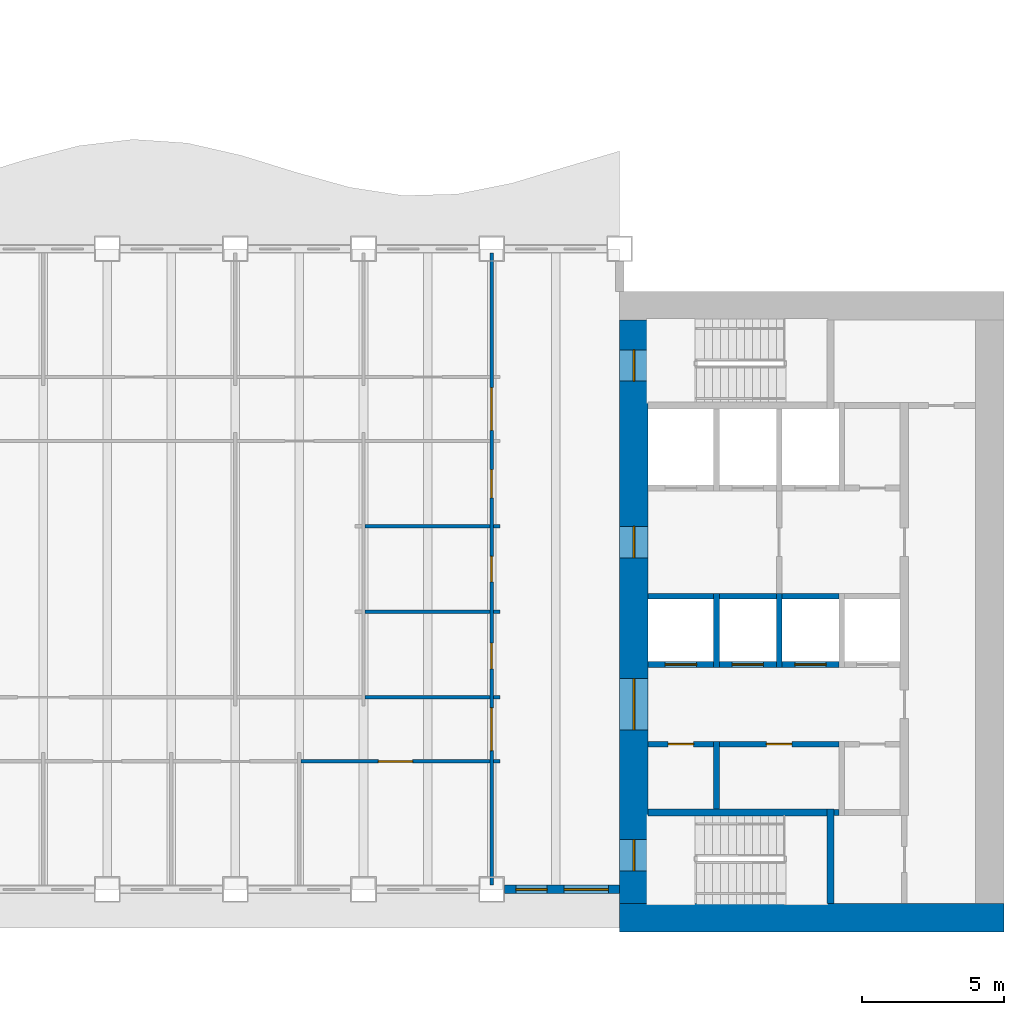
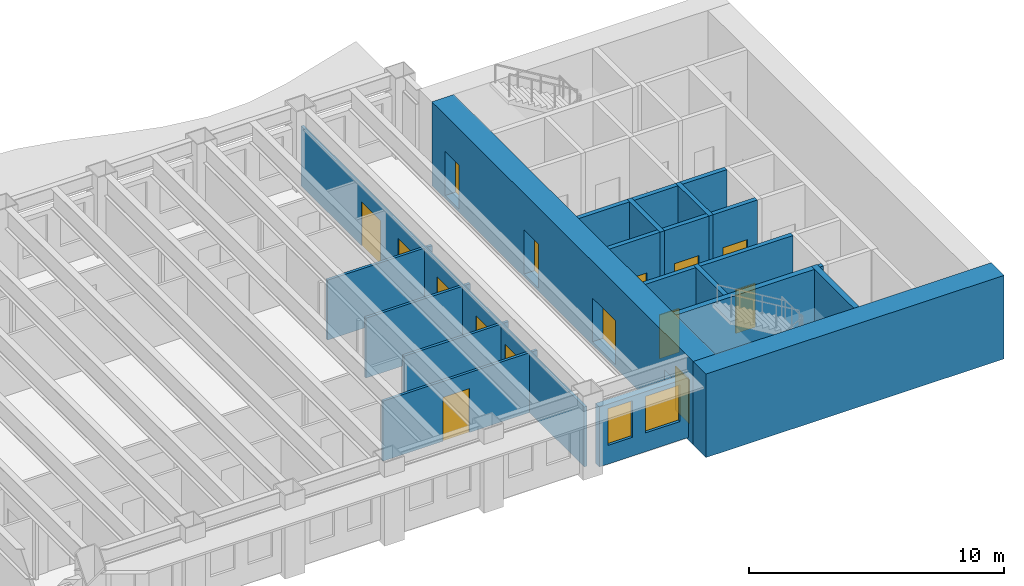
# One storey, part 6 of 16: 26 walls, 15 doors, 2 windows, 17 openings.
"""IFC4 building model written with IfcOpenShell, lengths in metres."""

import ifcopenshell
import ifcopenshell.guid

model = None  # the IFC model being written
_history = None  # IfcOwnerHistory: only IFC2X3 demands one
_inside = {}  # id of a spatial element -> (the spatial element, [elements in it])
_under = {}  # id of a project, library or spatial element -> (it, [spatial elements below it])
_declared = {}  # id of a project -> (the project, [libraries it declares])
_typed = {}  # id of a type object -> (the type object, [elements of that type])
_made_of = {}  # id of a material, layer set ... -> (it, [elements and type objects made of it])


def new_model(schema):
    """Start an empty IFC model of exactly this schema.

    Asked for "IFC4X3", IfcOpenShell would pick the latest addendum, in which some entities
    have other attributes; the version numbers below select the first issue.
    IFC2X3 requires an IfcOwnerHistory on every rooted entity: one is made here for all.
    """
    global model, _history
    if schema == "IFC4X3":
        model = ifcopenshell.file(schema_version=(4, 3, 0, 0))
    else:
        model = ifcopenshell.file(schema=schema)
    _inside.clear()
    _under.clear()
    _declared.clear()
    _typed.clear()
    _made_of.clear()
    _history = None
    if model.schema == "IFC2X3":
        org = make("IfcOrganization", Name="unknown")
        user = make(
            "IfcPersonAndOrganization",
            ThePerson=make("IfcPerson", FamilyName="unknown"),
            TheOrganization=org,
        )
        app = make(
            "IfcApplication",
            ApplicationDeveloper=org,
            Version="unknown",
            ApplicationFullName="unknown",
            ApplicationIdentifier="unknown",
        )
        _history = make(
            "IfcOwnerHistory",
            OwningUser=user,
            OwningApplication=app,
            ChangeAction="ADDED",
            CreationDate=0,
        )
    return model


def make(cls, **values):
    """One entity of the class cls with the attributes given. An attribute that is None is left unset."""
    return model.create_entity(
        cls, **{name: value for name, value in values.items() if value is not None}
    )


def rooted(cls, **values):
    """An entity with a GlobalId (a new one), such as an element, a storey or a relation."""
    return make(cls, GlobalId=ifcopenshell.guid.new(), OwnerHistory=_history, **values)


def si_unit(unit_type, name, prefix=None):
    """IfcSIUnit, for example si_unit("LENGTHUNIT", "METRE", prefix="MILLI")."""
    return make("IfcSIUnit", UnitType=unit_type, Prefix=prefix, Name=name)


def assignment(units):
    """IfcUnitAssignment: the units of a project."""
    return None if units is None else make("IfcUnitAssignment", Units=units)


def point(xyz):
    """IfcCartesianPoint."""
    return None if xyz is None else make("IfcCartesianPoint", Coordinates=xyz)


def direction(xyz):
    """IfcDirection."""
    return None if xyz is None else make("IfcDirection", DirectionRatios=xyz)


def frame(location, z_axis=None, x_axis=None):
    """IfcAxis2Placement3D, a coordinate frame: its origin and axes. An axis left out is left unset."""
    return make(
        "IfcAxis2Placement3D",
        Location=point(location),
        Axis=direction(z_axis),
        RefDirection=direction(x_axis),
    )


def frame_2d(location, x_axis=None):
    """IfcAxis2Placement2D, a coordinate frame in the plane: its origin and x axis."""
    return make(
        "IfcAxis2Placement2D", Location=point(location), RefDirection=direction(x_axis)
    )


def origin():
    """The frame at (0, 0, 0) with its axes left unset."""
    return frame((0.0, 0.0, 0.0))


def place(relative_to, where):
    """IfcLocalPlacement: puts the frame where relative to a parent placement (None: the world)."""
    return make(
        "IfcLocalPlacement", PlacementRelTo=relative_to, RelativePlacement=where
    )


def context(
    kind, dimensions, precision=None, world=None, true_north=None, identifier=None
):
    """IfcGeometricRepresentationContext, for example the 3D "Model" context."""
    return make(
        "IfcGeometricRepresentationContext",
        ContextIdentifier=identifier,
        ContextType=kind,
        CoordinateSpaceDimension=dimensions,
        Precision=precision,
        WorldCoordinateSystem=world,
        TrueNorth=true_north,
    )


def subcontext(parent, identifier, kind, view, scale=None):
    """IfcGeometricRepresentationSubContext, for example "Body" below "Model"."""
    return make(
        "IfcGeometricRepresentationSubContext",
        ContextIdentifier=identifier,
        ContextType=kind,
        ParentContext=parent,
        TargetScale=scale,
        TargetView=view,
    )


def project(units=None, contexts=None):
    """IfcProject with its units and contexts."""
    return rooted(
        "IfcProject",
        Name="project",
        RepresentationContexts=contexts,
        UnitsInContext=assignment(units),
    )


def spatial(cls, under=None, at=None, **own):
    """A site, building, storey or space (cls), placed at a placement, below another one or the project."""
    s = rooted(cls, ObjectPlacement=at, **own)
    if under is not None:
        _under.setdefault(under.id(), (under, []))[1].append(s)
    return s


def profile(cls, at=None, kind="AREA", **sizes):
    """A parametric profile (cls). Its sizes go by their IFC names, for example OverallWidth=200.0."""
    return make(cls, ProfileType=kind, Position=at, **sizes)


def rectangle(**sizes):
    """IfcRectangleProfileDef."""
    return profile("IfcRectangleProfileDef", **sizes)


def extrude(swept, where, along, depth):
    """IfcExtrudedAreaSolid: the profile swept, set in the frame where, extruded along a direction by depth."""
    return make(
        "IfcExtrudedAreaSolid",
        SweptArea=swept,
        Position=where,
        ExtrudedDirection=direction(along),
        Depth=depth,
    )


def shape(context_of_items, identifier, shape_type, items):
    """IfcShapeRepresentation: the items that make up one representation, for example the "Body"."""
    return make(
        "IfcShapeRepresentation",
        ContextOfItems=context_of_items,
        RepresentationIdentifier=identifier,
        RepresentationType=shape_type,
        Items=items,
    )


def material(Name=None, Category=None):
    """IfcMaterial."""
    return make("IfcMaterial", Name=Name, Category=Category)


def layer(
    of_material, thickness, ventilated=None, Name=None, Category=None, Priority=None
):
    """IfcMaterialLayer: one layer of a wall or slab, of a material (None: an air gap)."""
    return make(
        "IfcMaterialLayer",
        Material=of_material,
        LayerThickness=thickness,
        IsVentilated=ventilated,
        Name=Name,
        Category=Category,
        Priority=Priority,
    )


def layer_set(layers, Name=None):
    """IfcMaterialLayerSet."""
    return make("IfcMaterialLayerSet", MaterialLayers=layers, LayerSetName=Name)


def made_of(thing, what):
    """Note that an element or type object is made of a material, layer set ...; save() writes the relation."""
    if what is not None:
        _made_of.setdefault(what.id(), (what, []))[1].append(thing)
    return thing


def type_object(cls, material=None, **own):
    """A type object (cls), such as IfcWallType, which elements share."""
    return made_of(rooted(cls, **own), material)


def element(
    cls,
    number,
    at=None,
    inside=None,
    cuts=None,
    type_object=None,
    material=None,
    context=None,
    identifier="Body",
    shape_type=None,
    held_by="IfcProductDefinitionShape",
    body=None,
    shapes=None,
    **own,
):
    """One element of the class cls, such as IfcWall. Its Tag is "e" and its number.

    at: its placement. inside: the storey or other place that contains it. cuts: it is an
    opening in that element (IfcRelVoidsElement). A single representation is given by context,
    identifier, shape_type and body (its items); several are given by shapes. held_by: the class
    of the entity that holds the representations. save() writes the other relations.
    """
    e = rooted(cls, Tag="e%d" % number, ObjectPlacement=at, **own)
    if body is not None:
        shapes = [shape(context, identifier, shape_type, body)]
    if shapes is not None:
        e.Representation = make(held_by, Representations=shapes)
    if inside is not None:
        _inside.setdefault(inside.id(), (inside, []))[1].append(e)
    if cuts is not None:
        rooted(
            "IfcRelVoidsElement", RelatingBuildingElement=cuts, RelatedOpeningElement=e
        )
    if type_object is not None:
        _typed.setdefault(type_object.id(), (type_object, []))[1].append(e)
    return made_of(e, material)


def fill(opening, filler):
    """IfcRelFillsElement: the door or window that sits in an opening."""
    return rooted(
        "IfcRelFillsElement",
        RelatingOpeningElement=opening,
        RelatedBuildingElement=filler,
    )


def aggregate(whole, parts):
    """IfcRelAggregates: a whole, such as a stair, and the parts it consists of."""
    return rooted("IfcRelAggregates", RelatingObject=whole, RelatedObjects=parts)


def save(model, path):
    """Write the relations noted so far, then the file.

    IfcRelAggregates (storeys below a building ...), IfcRelContainedInSpatialStructure (elements
    in a storey), IfcRelDefinesByType, IfcRelAssociatesMaterial and IfcRelDeclares: one each for
    every whole, place, type object, material and project.
    """
    for whole, parts in _under.values():
        aggregate(whole, parts)
    for where, things in _inside.values():
        rooted(
            "IfcRelContainedInSpatialStructure",
            RelatedElements=things,
            RelatingStructure=where,
        )
    for kind, things in _typed.values():
        rooted("IfcRelDefinesByType", RelatedObjects=things, RelatingType=kind)
    for what, things in _made_of.values():
        rooted("IfcRelAssociatesMaterial", RelatedObjects=things, RelatingMaterial=what)
    for by, libraries in _declared.values():
        rooted("IfcRelDeclares", RelatingContext=by, RelatedDefinitions=libraries)
    model.write(path)


model = new_model("IFC4")

# Units and contexts
model_context = context("Model", 3, precision=1e-05, world=origin(), true_north=direction((0.0, 1.0)))
body_context = subcontext(model_context, "Body", "Model", "MODEL_VIEW")
ifc_project = project(units=[si_unit("LENGTHUNIT", "METRE"), si_unit("AREAUNIT", "SQUARE_METRE"), si_unit("VOLUMEUNIT", "CUBIC_METRE"), si_unit("PLANEANGLEUNIT", "RADIAN"), si_unit("MASSUNIT", "GRAM", prefix="KILO")], contexts=[model_context])

# Site, building, storey
site_placement = place(None, origin())
site = spatial("IfcSite", under=ifc_project, at=site_placement, CompositionType="ELEMENT")
building_placement = place(site_placement, origin())
building = spatial("IfcBuilding", under=site, at=building_placement, Name="Sennacour Bend Tower", CompositionType="ELEMENT")
storey_placement = place(building_placement, frame((0.0, 0.0, 163.0)))
storey = spatial("IfcBuildingStorey", under=building, at=storey_placement, Name="L37", CompositionType="ELEMENT", Elevation=163.0)

# Wall
ifc_material_1 = material(Name="Concrete C60/75", Category="concrete")
ifc_layer_1 = layer(ifc_material_1, 1.0, Name="Concrete C60/75", Category="concrete")
ifc_layer_set_1 = layer_set([ifc_layer_1], Name="Concrete C60/75")
wall_type_1 = type_object("IfcWallType", Name="Core wall 1000 C60/75", PredefinedType="SHEAR", material=ifc_layer_set_1)
wall_1_placement = place(storey_placement, frame((67.5, 0.5, -0.14990234375), z_axis=(0.0, 0.0, 1.0), x_axis=(-1.0, 0.0, 0.0)))
element("IfcWall", 1, at=wall_1_placement, inside=storey, type_object=wall_type_1, Name="Core A wall L37 S", PredefinedType="SHEAR", context=body_context, shape_type="SweptSolid", body=[
    extrude(rectangle(XDim=13.5, YDim=1.0, at=frame_2d((6.75, 0.0))), origin(), (0.0, 0.0, 1.0), 4.0),
])

# Wall, openings, doors
wall_2_placement = place(storey_placement, frame((54.5, 1.0, -0.14990234375), z_axis=(0.0, 0.0, 1.0), x_axis=(0.0, 1.0, 0.0)))
wall_2 = element("IfcWall", 2, at=wall_2_placement, inside=storey, type_object=wall_type_1, Name="Core A wall L37 W", PredefinedType="SHEAR", context=body_context, shape_type="SweptSolid", body=[
    extrude(rectangle(XDim=20.5, YDim=1.0, at=frame_2d((10.25, 0.0))), origin(), (0.0, 0.0, 1.0), 4.0),
])
opening_1_placement = place(wall_2_placement, frame((6.10009765625, 0.0, 0.14990234375)))
opening_1 = element("IfcOpeningElement", 3, at=opening_1_placement, cuts=wall_2, Name="Opening CD", PredefinedType="OPENING", context=body_context, shape_type="SweptSolid", body=[
    extrude(rectangle(XDim=1.800048828125, YDim=2.10009765625, at=frame_2d((0.89990234375, 1.050048828125))), frame((0.0, 0.510009765625, 0.0), z_axis=(0.0, -1.0, 0.0), x_axis=(1.0, 0.0, 0.0)), (0.0, 0.0, 1.0), 1.02001953125),
])
opening_2_placement = place(wall_2_placement, frame((12.14990234375, 0.0, 0.14990234375)))
opening_2 = element("IfcOpeningElement", 4, at=opening_2_placement, cuts=wall_2, Name="Opening FD", PredefinedType="OPENING", context=body_context, shape_type="SweptSolid", body=[
    extrude(rectangle(XDim=1.10009765625, YDim=2.10009765625, at=frame_2d((0.550048828125, 1.050048828125))), frame((0.0, 0.510009765625, 0.0), z_axis=(0.0, -1.0, 0.0), x_axis=(1.0, 0.0, 0.0)), (0.0, 0.0, 1.0), 1.02001953125),
])
opening_3_placement = place(wall_2_placement, frame((1.14990234375, 0.0, 0.14990234375)))
opening_3 = element("IfcOpeningElement", 5, at=opening_3_placement, cuts=wall_2, Name="Opening SD", PredefinedType="OPENING", context=body_context, shape_type="SweptSolid", body=[
    extrude(rectangle(XDim=1.10009765625, YDim=2.10009765625, at=frame_2d((0.550048828125, 1.050048828125))), frame((0.0, 0.510009765625, 0.0), z_axis=(0.0, -1.0, 0.0), x_axis=(1.0, 0.0, 0.0)), (0.0, 0.0, 1.0), 1.02001953125),
])
opening_4_placement = place(wall_2_placement, frame((18.35009765625, 0.0, 0.14990234375)))
opening_4 = element("IfcOpeningElement", 6, at=opening_4_placement, cuts=wall_2, Name="Opening SD", PredefinedType="OPENING", context=body_context, shape_type="SweptSolid", body=[
    extrude(rectangle(XDim=1.10009765625, YDim=2.10009765625, at=frame_2d((0.550048828125, 1.050048828125))), frame((0.0, 0.510009765625, 0.0), z_axis=(0.0, -1.0, 0.0), x_axis=(1.0, 0.0, 0.0)), (0.0, 0.0, 1.0), 1.02001953125),
])
ifc_material_2 = material(Name="Painted steel", Category="steel")
door_type_1 = type_object("IfcDoorType", Name="DR-FFL-1100", OperationType="NOTDEFINED", PredefinedType="DOOR", material=ifc_material_2)
door_1_placement = place(opening_2_placement, origin())
door_1 = element("IfcDoor", 7, at=door_1_placement, inside=storey, type_object=door_type_1, Name="Door", OperationType="SINGLE_SWING_RIGHT", OverallHeight=2.10009765625, OverallWidth=1.10009765625, PredefinedType="DOOR", context=body_context, shape_type="SweptSolid", body=[
    extrude(rectangle(XDim=1.10009765625, YDim=2.10009765625, at=frame_2d((0.550048828125, 1.050048828125))), frame((0.0, 0.02490234375, 0.0), z_axis=(0.0, -1.0, 0.0), x_axis=(1.0, 0.0, 0.0)), (0.0, 0.0, 1.0), 0.050048828125),
])
fill(opening_2, door_1)
door_type_2 = type_object("IfcDoorType", Name="DR-LOBBY-1800", OperationType="NOTDEFINED", PredefinedType="DOOR", material=ifc_material_2)
door_2_placement = place(opening_1_placement, origin())
door_2 = element("IfcDoor", 8, at=door_2_placement, inside=storey, type_object=door_type_2, Name="Door", OperationType="DOUBLE_DOOR_SINGLE_SWING", OverallHeight=2.10009765625, OverallWidth=1.800048828125, PredefinedType="DOOR", context=body_context, shape_type="SweptSolid", body=[
    extrude(rectangle(XDim=1.800048828125, YDim=2.10009765625, at=frame_2d((0.89990234375, 1.050048828125))), frame((0.0, 0.02490234375, 0.0), z_axis=(0.0, -1.0, 0.0), x_axis=(1.0, 0.0, 0.0)), (0.0, 0.0, 1.0), 0.050048828125),
])
fill(opening_1, door_2)
door_type_3 = type_object("IfcDoorType", Name="DR-STAIR-1100", OperationType="NOTDEFINED", PredefinedType="DOOR", material=ifc_material_2)
door_3_placement = place(opening_3_placement, origin())
door_3 = element("IfcDoor", 9, at=door_3_placement, inside=storey, type_object=door_type_3, Name="Door", OperationType="SINGLE_SWING_LEFT", OverallHeight=2.10009765625, OverallWidth=1.10009765625, PredefinedType="DOOR", context=body_context, shape_type="SweptSolid", body=[
    extrude(rectangle(XDim=1.10009765625, YDim=2.10009765625, at=frame_2d((0.550048828125, 1.050048828125))), frame((0.0, 0.02490234375, 0.0), z_axis=(0.0, -1.0, 0.0), x_axis=(1.0, 0.0, 0.0)), (0.0, 0.0, 1.0), 0.050048828125),
])
fill(opening_3, door_3)
door_4_placement = place(opening_4_placement, origin())
door_4 = element("IfcDoor", 10, at=door_4_placement, inside=storey, type_object=door_type_3, Name="Door", OperationType="SINGLE_SWING_RIGHT", OverallHeight=2.10009765625, OverallWidth=1.10009765625, PredefinedType="DOOR", context=body_context, shape_type="SweptSolid", body=[
    extrude(rectangle(XDim=1.10009765625, YDim=2.10009765625, at=frame_2d((0.550048828125, 1.050048828125))), frame((0.0, 0.02490234375, 0.0), z_axis=(0.0, -1.0, 0.0), x_axis=(1.0, 0.0, 0.0)), (0.0, 0.0, 1.0), 0.050048828125),
])
fill(opening_4, door_4)

# Wall, opening, door
ifc_material_3 = material(Name="Plasterboard partition on steel studs", Category="steel")
ifc_layer_2 = layer(ifc_material_3, 0.1201171875, Name="Plasterboard partition on steel studs", Category="steel")
ifc_layer_set_2 = layer_set([ifc_layer_2], Name="Plasterboard partition on steel studs")
wall_type_2 = type_object("IfcWallType", Name="Partition 120", PredefinedType="PARTITIONING", material=ifc_layer_set_2)
wall_3_placement = place(storey_placement, frame((42.81005859375, 6.0, 0.0), z_axis=(0.0, 0.0, 1.0), x_axis=(1.0, 0.0, 0.0)))
wall_3 = element("IfcWall", 11, at=wall_3_placement, inside=storey, type_object=wall_type_2, Name="P-L37-W058ag", PredefinedType="PARTITIONING", context=body_context, shape_type="SweptSolid", body=[
    extrude(rectangle(XDim=6.6298828125, YDim=0.1201171875, at=frame_2d((3.31494140625, 0.0))), origin(), (0.0, 0.0, 1.0), 2.8701171875),
])
opening_5_placement = place(wall_3_placement, frame((2.71484375, 0.0, 0.0)))
opening_5 = element("IfcOpeningElement", 12, at=opening_5_placement, cuts=wall_3, Name="Opening OD", PredefinedType="OPENING", context=body_context, shape_type="SweptSolid", body=[
    extrude(rectangle(XDim=1.199951171875, YDim=2.10009765625, at=frame_2d((0.60009765625, 1.050048828125))), frame((0.0, 0.070068359375, 0.0), z_axis=(0.0, -1.0, 0.0), x_axis=(1.0, 0.0, 0.0)), (0.0, 0.0, 1.0), 0.14013671875),
])
ifc_material_4 = material(Name="Timber", Category="wood")
door_type_4 = type_object("IfcDoorType", Name="DR-OFFICE-1200", OperationType="NOTDEFINED", PredefinedType="DOOR", material=ifc_material_4)
door_5_placement = place(opening_5_placement, origin())
door_5 = element("IfcDoor", 13, at=door_5_placement, inside=storey, type_object=door_type_4, Name="Door", OperationType="SINGLE_SWING_LEFT", OverallHeight=2.10009765625, OverallWidth=1.199951171875, PredefinedType="DOOR", context=body_context, shape_type="SweptSolid", body=[
    extrude(rectangle(XDim=1.199951171875, YDim=2.10009765625, at=frame_2d((0.60009765625, 1.050048828125))), frame((0.0, 0.02490234375, 0.0), z_axis=(0.0, -1.0, 0.0), x_axis=(1.0, 0.0, 0.0)), (0.0, 0.0, 1.0), 0.050048828125),
])
fill(opening_5, door_5)

# Walls
wall_4_placement = place(storey_placement, frame((49.56005859375, 6.0, 0.0), z_axis=(0.0, 0.0, 1.0), x_axis=(1.0, 0.0, 0.0)))
element("IfcWall", 14, at=wall_4_placement, inside=storey, type_object=wall_type_2, Name="P-L37-W058ah", PredefinedType="PARTITIONING", context=body_context, shape_type="SweptSolid", body=[
    extrude(rectangle(XDim=0.239990234375, YDim=0.1201171875, at=frame_2d((0.1201171875, 0.0))), origin(), (0.0, 0.0, 1.0), 2.8701171875),
])
wall_5_placement = place(storey_placement, frame((45.06005859375, 8.25, 0.0), z_axis=(0.0, 0.0, 1.0), x_axis=(1.0, 0.0, 0.0)))
element("IfcWall", 15, at=wall_5_placement, inside=storey, type_object=wall_type_2, Name="P-L37-W060ad", PredefinedType="PARTITIONING", context=body_context, shape_type="SweptSolid", body=[
    extrude(rectangle(XDim=4.3798828125, YDim=0.1201171875, at=frame_2d((2.18994140625, 0.0))), origin(), (0.0, 0.0, 1.0), 2.8701171875),
])
wall_6_placement = place(storey_placement, frame((49.56005859375, 8.25, 0.0), z_axis=(0.0, 0.0, 1.0), x_axis=(1.0, 0.0, 0.0)))
element("IfcWall", 16, at=wall_6_placement, inside=storey, type_object=wall_type_2, Name="P-L37-W060ae", PredefinedType="PARTITIONING", context=body_context, shape_type="SweptSolid", body=[
    extrude(rectangle(XDim=0.239990234375, YDim=0.1201171875, at=frame_2d((0.1201171875, 0.0))), origin(), (0.0, 0.0, 1.0), 2.8701171875),
])
wall_7_placement = place(storey_placement, frame((45.06005859375, 11.25, 0.0), z_axis=(0.0, 0.0, 1.0), x_axis=(1.0, 0.0, 0.0)))
element("IfcWall", 17, at=wall_7_placement, inside=storey, type_object=wall_type_2, Name="P-L37-W064ab", PredefinedType="PARTITIONING", context=body_context, shape_type="SweptSolid", body=[
    extrude(rectangle(XDim=4.3798828125, YDim=0.1201171875, at=frame_2d((2.18994140625, 0.0))), origin(), (0.0, 0.0, 1.0), 2.8701171875),
])
wall_8_placement = place(storey_placement, frame((49.56005859375, 11.25, 0.0), z_axis=(0.0, 0.0, 1.0), x_axis=(1.0, 0.0, 0.0)))
element("IfcWall", 18, at=wall_8_placement, inside=storey, type_object=wall_type_2, Name="P-L37-W064ac", PredefinedType="PARTITIONING", context=body_context, shape_type="SweptSolid", body=[
    extrude(rectangle(XDim=0.239990234375, YDim=0.1201171875, at=frame_2d((0.1201171875, 0.0))), origin(), (0.0, 0.0, 1.0), 2.8701171875),
])
wall_9_placement = place(storey_placement, frame((45.06005859375, 14.25, 0.0), z_axis=(0.0, 0.0, 1.0), x_axis=(1.0, 0.0, 0.0)))
element("IfcWall", 19, at=wall_9_placement, inside=storey, type_object=wall_type_2, Name="P-L37-W066ab", PredefinedType="PARTITIONING", context=body_context, shape_type="SweptSolid", body=[
    extrude(rectangle(XDim=4.3798828125, YDim=0.1201171875, at=frame_2d((2.18994140625, 0.0))), origin(), (0.0, 0.0, 1.0), 2.8701171875),
])
wall_10_placement = place(storey_placement, frame((49.56005859375, 14.25, 0.0), z_axis=(0.0, 0.0, 1.0), x_axis=(1.0, 0.0, 0.0)))
element("IfcWall", 20, at=wall_10_placement, inside=storey, type_object=wall_type_2, Name="P-L37-W066ac", PredefinedType="PARTITIONING", context=body_context, shape_type="SweptSolid", body=[
    extrude(rectangle(XDim=0.239990234375, YDim=0.1201171875, at=frame_2d((0.1201171875, 0.0))), origin(), (0.0, 0.0, 1.0), 2.8701171875),
])

# Wall, openings, doors
ifc_layer_3 = layer(ifc_material_3, 0.1201171875, Name="Plasterboard partition on steel studs", Category="steel")
ifc_layer_set_3 = layer_set([ifc_layer_3], Name="Plasterboard partition on steel studs")
wall_type_3 = type_object("IfcWallType", Name="Partition 120 EI 30", PredefinedType="PARTITIONING", material=ifc_layer_set_3)
wall_11_placement = place(storey_placement, frame((49.5, 1.64990234375, 0.0), z_axis=(0.0, 0.0, 1.0), x_axis=(0.0, 1.0, 0.0)))
wall_11 = element("IfcWall", 21, at=wall_11_placement, inside=storey, type_object=wall_type_3, Name="P-L37-W036a", PredefinedType="PARTITIONING", context=body_context, shape_type="SweptSolid", body=[
    extrude(rectangle(XDim=22.2001953125, YDim=0.1201171875, at=frame_2d((11.10009765625, 0.0))), origin(), (0.0, 0.0, 1.0), 2.8701171875),
])
opening_6_placement = place(wall_11_placement, frame((4.72509765625, 0.0, 0.0)))
opening_6 = element("IfcOpeningElement", 22, at=opening_6_placement, cuts=wall_11, Name="Opening KD", PredefinedType="OPENING", context=body_context, shape_type="SweptSolid", body=[
    extrude(rectangle(XDim=1.5, YDim=2.10009765625, at=frame_2d((0.75, 1.050048828125))), frame((0.0, 0.070068359375, 0.0), z_axis=(0.0, -1.0, 0.0), x_axis=(1.0, 0.0, 0.0)), (0.0, 0.0, 1.0), 0.14013671875),
])
opening_7_placement = place(wall_11_placement, frame((15.97509765625, 0.0, 0.0)))
opening_7 = element("IfcOpeningElement", 23, at=opening_7_placement, cuts=wall_11, Name="Opening KD", PredefinedType="OPENING", context=body_context, shape_type="SweptSolid", body=[
    extrude(rectangle(XDim=1.5, YDim=2.10009765625, at=frame_2d((0.75, 1.050048828125))), frame((0.0, 0.070068359375, 0.0), z_axis=(0.0, -1.0, 0.0), x_axis=(1.0, 0.0, 0.0)), (0.0, 0.0, 1.0), 0.14013671875),
])
opening_8_placement = place(wall_11_placement, frame((7.60009765625, 0.0, 0.0)))
opening_8 = element("IfcOpeningElement", 24, at=opening_8_placement, cuts=wall_11, Name="Opening WD", PredefinedType="OPENING", context=body_context, shape_type="SweptSolid", body=[
    extrude(rectangle(XDim=0.89990234375, YDim=2.10009765625, at=frame_2d((0.449951171875, 1.050048828125))), frame((0.0, 0.070068359375, 0.0), z_axis=(0.0, -1.0, 0.0), x_axis=(1.0, 0.0, 0.0)), (0.0, 0.0, 1.0), 0.14013671875),
])
opening_9_placement = place(wall_11_placement, frame((10.650146484375, 0.0, 0.0)))
opening_9 = element("IfcOpeningElement", 25, at=opening_9_placement, cuts=wall_11, Name="Opening WD", PredefinedType="OPENING", context=body_context, shape_type="SweptSolid", body=[
    extrude(rectangle(XDim=0.89990234375, YDim=2.10009765625, at=frame_2d((0.449951171875, 1.050048828125))), frame((0.0, 0.070068359375, 0.0), z_axis=(0.0, -1.0, 0.0), x_axis=(1.0, 0.0, 0.0)), (0.0, 0.0, 1.0), 0.14013671875),
])
opening_10_placement = place(wall_11_placement, frame((13.60009765625, 0.0, 0.0)))
opening_10 = element("IfcOpeningElement", 26, at=opening_10_placement, cuts=wall_11, Name="Opening AD", PredefinedType="OPENING", context=body_context, shape_type="SweptSolid", body=[
    extrude(rectangle(XDim=1.0, YDim=2.10009765625, at=frame_2d((0.5, 1.050048828125))), frame((0.0, 0.070068359375, 0.0), z_axis=(0.0, -1.0, 0.0), x_axis=(1.0, 0.0, 0.0)), (0.0, 0.0, 1.0), 0.14013671875),
])
door_type_5 = type_object("IfcDoorType", Name="DR-ACC-WC-1000", OperationType="NOTDEFINED", PredefinedType="DOOR", material=ifc_material_4)
door_6_placement = place(opening_10_placement, origin())
door_6 = element("IfcDoor", 27, at=door_6_placement, inside=storey, type_object=door_type_5, Name="Door", OperationType="SINGLE_SWING_RIGHT", OverallHeight=2.10009765625, OverallWidth=1.0, PredefinedType="DOOR", context=body_context, shape_type="SweptSolid", body=[
    extrude(rectangle(XDim=1.0, YDim=2.10009765625, at=frame_2d((0.5, 1.050048828125))), frame((0.0, 0.02490234375, 0.0), z_axis=(0.0, -1.0, 0.0), x_axis=(1.0, 0.0, 0.0)), (0.0, 0.0, 1.0), 0.050048828125),
])
fill(opening_10, door_6)
door_type_6 = type_object("IfcDoorType", Name="DR-CORRIDOR-1500", OperationType="NOTDEFINED", PredefinedType="DOOR", material=ifc_material_2)
door_7_placement = place(opening_6_placement, origin())
door_7 = element("IfcDoor", 28, at=door_7_placement, inside=storey, type_object=door_type_6, Name="Door", OperationType="SINGLE_SWING_LEFT", OverallHeight=2.10009765625, OverallWidth=1.5, PredefinedType="DOOR", context=body_context, shape_type="SweptSolid", body=[
    extrude(rectangle(XDim=1.5, YDim=2.10009765625, at=frame_2d((0.75, 1.050048828125))), frame((0.0, 0.02490234375, 0.0), z_axis=(0.0, -1.0, 0.0), x_axis=(1.0, 0.0, 0.0)), (0.0, 0.0, 1.0), 0.050048828125),
])
fill(opening_6, door_7)
door_8_placement = place(opening_7_placement, origin())
door_8 = element("IfcDoor", 29, at=door_8_placement, inside=storey, type_object=door_type_6, Name="Door", OperationType="SINGLE_SWING_RIGHT", OverallHeight=2.10009765625, OverallWidth=1.5, PredefinedType="DOOR", context=body_context, shape_type="SweptSolid", body=[
    extrude(rectangle(XDim=1.5, YDim=2.10009765625, at=frame_2d((0.75, 1.050048828125))), frame((0.0, 0.02490234375, 0.0), z_axis=(0.0, -1.0, 0.0), x_axis=(1.0, 0.0, 0.0)), (0.0, 0.0, 1.0), 0.050048828125),
])
fill(opening_7, door_8)
door_type_7 = type_object("IfcDoorType", Name="DR-WC-900", OperationType="NOTDEFINED", PredefinedType="DOOR", material=ifc_material_4)
door_9_placement = place(opening_8_placement, origin())
door_9 = element("IfcDoor", 30, at=door_9_placement, inside=storey, type_object=door_type_7, Name="Door", OperationType="SINGLE_SWING_LEFT", OverallHeight=2.10009765625, OverallWidth=0.89990234375, PredefinedType="DOOR", context=body_context, shape_type="SweptSolid", body=[
    extrude(rectangle(XDim=0.89990234375, YDim=2.10009765625, at=frame_2d((0.449951171875, 1.050048828125))), frame((0.0, 0.02490234375, 0.0), z_axis=(0.0, -1.0, 0.0), x_axis=(1.0, 0.0, 0.0)), (0.0, 0.0, 1.0), 0.050048828125),
])
fill(opening_8, door_9)
door_10_placement = place(opening_9_placement, origin())
door_10 = element("IfcDoor", 31, at=door_10_placement, inside=storey, type_object=door_type_7, Name="Door", OperationType="SINGLE_SWING_RIGHT", OverallHeight=2.10009765625, OverallWidth=0.89990234375, PredefinedType="DOOR", context=body_context, shape_type="SweptSolid", body=[
    extrude(rectangle(XDim=0.89990234375, YDim=2.10009765625, at=frame_2d((0.449951171875, 1.050048828125))), frame((0.0, 0.02490234375, 0.0), z_axis=(0.0, -1.0, 0.0), x_axis=(1.0, 0.0, 0.0)), (0.0, 0.0, 1.0), 0.050048828125),
])
fill(opening_9, door_10)

# Walls
ifc_material_5 = material(Name="Fire-rated plasterboard partition on steel studs", Category="steel")
ifc_layer_4 = layer(ifc_material_5, 0.199951171875, Name="Fire-rated plasterboard partition on steel studs", Category="steel")
ifc_layer_set_4 = layer_set([ifc_layer_4], Name="Fire-rated plasterboard partition on steel studs")
wall_type_4 = type_object("IfcWallType", Name="Rated partition 200", PredefinedType="PARTITIONING", material=ifc_layer_set_4)
wall_12_placement = place(storey_placement, frame((57.39990234375, 4.324951171875, 0.0), z_axis=(0.0, 0.0, 1.0), x_axis=(0.0, 1.0, 0.0)))
element("IfcWall", 32, at=wall_12_placement, inside=storey, type_object=wall_type_4, Name="P-L37-W038", PredefinedType="PARTITIONING", context=body_context, shape_type="SweptSolid", body=[
    extrude(rectangle(XDim=2.375, YDim=0.199951171875, at=frame_2d((1.1875, 0.0))), origin(), (0.0, 0.0, 1.0), 3.85009765625),
])
wall_13_placement = place(storey_placement, frame((61.52490234375, 4.199951171875, 0.0), z_axis=(0.0, 0.0, 1.0), x_axis=(1.0, 0.0, 0.0)))
element("IfcWall", 33, at=wall_13_placement, inside=storey, type_object=wall_type_4, Name="P-L37-W057a", PredefinedType="PARTITIONING", context=body_context, shape_type="SweptSolid", body=[
    extrude(rectangle(XDim=0.175048828125, YDim=0.199951171875, at=frame_2d((0.08740234375, 0.0))), origin(), (0.0, 0.0, 1.0), 3.85009765625),
])

# Wall, opening, door
wall_14_placement = place(storey_placement, frame((55.0, 6.60009765625, 0.0), z_axis=(0.0, 0.0, 1.0), x_axis=(1.0, 0.0, 0.0)))
wall_14 = element("IfcWall", 34, at=wall_14_placement, inside=storey, type_object=wall_type_4, Name="P-L37-W059a", PredefinedType="PARTITIONING", context=body_context, shape_type="SweptSolid", body=[
    extrude(rectangle(XDim=2.300048828125, YDim=0.199951171875, at=frame_2d((1.14990234375, 0.0))), origin(), (0.0, 0.0, 1.0), 3.85009765625),
])
opening_11_placement = place(wall_14_placement, frame((0.699951171875, 0.0, 0.0)))
opening_11 = element("IfcOpeningElement", 35, at=opening_11_placement, cuts=wall_14, Name="Opening SV", PredefinedType="OPENING", context=body_context, shape_type="SweptSolid", body=[
    extrude(rectangle(XDim=0.89990234375, YDim=2.10009765625, at=frame_2d((0.449951171875, 1.050048828125))), frame((0.0, 0.10986328125, 0.0), z_axis=(0.0, -1.0, 0.0), x_axis=(1.0, 0.0, 0.0)), (0.0, 0.0, 1.0), 0.219970703125),
])
door_type_8 = type_object("IfcDoorType", Name="DR-SERVICE-900", OperationType="NOTDEFINED", PredefinedType="DOOR", material=ifc_material_2)
door_11_placement = place(opening_11_placement, origin())
door_11 = element("IfcDoor", 36, at=door_11_placement, inside=storey, type_object=door_type_8, Name="Door", OperationType="SINGLE_SWING_LEFT", OverallHeight=2.10009765625, OverallWidth=0.89990234375, PredefinedType="DOOR", context=body_context, shape_type="SweptSolid", body=[
    extrude(rectangle(XDim=0.89990234375, YDim=2.10009765625, at=frame_2d((0.449951171875, 1.050048828125))), frame((0.0, 0.02490234375, 0.0), z_axis=(0.0, -1.0, 0.0), x_axis=(1.0, 0.0, 0.0)), (0.0, 0.0, 1.0), 0.050048828125),
])
fill(opening_11, door_11)

wall_15_placement = place(storey_placement, frame((57.5, 6.60009765625, 0.0), z_axis=(0.0, 0.0, 1.0), x_axis=(1.0, 0.0, 0.0)))
wall_15 = element("IfcWall", 37, at=wall_15_placement, inside=storey, type_object=wall_type_4, Name="P-L37-W059b", PredefinedType="PARTITIONING", context=body_context, shape_type="SweptSolid", body=[
    extrude(rectangle(XDim=4.199951171875, YDim=0.199951171875, at=frame_2d((2.10009765625, 0.0))), origin(), (0.0, 0.0, 1.0), 3.85009765625),
])
opening_12_placement = place(wall_15_placement, frame((1.64990234375, 0.0, 0.0)))
opening_12 = element("IfcOpeningElement", 38, at=opening_12_placement, cuts=wall_15, Name="Opening WD", PredefinedType="OPENING", context=body_context, shape_type="SweptSolid", body=[
    extrude(rectangle(XDim=0.89990234375, YDim=2.10009765625, at=frame_2d((0.449951171875, 1.050048828125))), frame((0.0, 0.10986328125, 0.0), z_axis=(0.0, -1.0, 0.0), x_axis=(1.0, 0.0, 0.0)), (0.0, 0.0, 1.0), 0.219970703125),
])
door_12_placement = place(opening_12_placement, origin())
door_12 = element("IfcDoor", 39, at=door_12_placement, inside=storey, type_object=door_type_7, Name="Door", OperationType="SINGLE_SWING_RIGHT", OverallHeight=2.10009765625, OverallWidth=0.89990234375, PredefinedType="DOOR", context=body_context, shape_type="SweptSolid", body=[
    extrude(rectangle(XDim=0.89990234375, YDim=2.10009765625, at=frame_2d((0.449951171875, 1.050048828125))), frame((0.0, 0.02490234375, 0.0), z_axis=(0.0, -1.0, 0.0), x_axis=(1.0, 0.0, 0.0)), (0.0, 0.0, 1.0), 0.050048828125),
])
fill(opening_12, door_12)

# Wall, openings, windows
ifc_material_6 = material(Name="Warm limestone cladding", Category="masonry")
ifc_layer_5 = layer(ifc_material_6, 0.050048828125, Name="Warm limestone cladding", Category="masonry")
ifc_material_7 = material(Name="Precast concrete C40/50", Category="concrete")
ifc_layer_6 = layer(ifc_material_7, 0.25, Name="Precast concrete C40/50", Category="concrete")
ifc_layer_set_5 = layer_set([ifc_layer_5, ifc_layer_6], Name="Precast concrete C40/50 with limestone cladding")
wall_type_5 = type_object("IfcWallType", Name="STONE-CLAD PRECAST SPANDREL 300", PredefinedType="STANDARD", material=ifc_layer_set_5)
wall_16_placement = place(storey_placement, frame((49.949951171875, 1.5, 0.0), z_axis=(0.0, 0.0, 1.0), x_axis=(1.0, 0.0, 0.0)))
wall_16 = element("IfcWall", 40, at=wall_16_placement, inside=storey, type_object=wall_type_5, Name="Stone spandrel and pier wall L37 02.06", PredefinedType="STANDARD", context=body_context, shape_type="SweptSolid", body=[
    extrude(rectangle(XDim=4.050048828125, YDim=0.300048828125, at=frame_2d((2.02490234375, 0.0))), origin(), (0.0, 0.0, 1.0), 2.8701171875),
])
opening_13_placement = place(wall_16_placement, frame((0.39990234375, 0.0, 0.89990234375)))
opening_13 = element("IfcOpeningElement", 41, at=opening_13_placement, cuts=wall_16, Name="Opening W17", PredefinedType="OPENING", context=body_context, shape_type="SweptSolid", body=[
    extrude(rectangle(XDim=1.10009765625, YDim=1.75, at=frame_2d((0.550048828125, 0.875))), frame((0.0, 0.16015625, 0.0), z_axis=(0.0, -1.0, 0.0), x_axis=(1.0, 0.0, 0.0)), (0.0, 0.0, 1.0), 0.320068359375),
])
opening_14_placement = place(wall_16_placement, frame((2.10009765625, 0.0, 0.89990234375)))
opening_14 = element("IfcOpeningElement", 42, at=opening_14_placement, cuts=wall_16, Name="Opening W12", PredefinedType="OPENING", context=body_context, shape_type="SweptSolid", body=[
    extrude(rectangle(XDim=1.550048828125, YDim=1.75, at=frame_2d((0.77490234375, 0.875))), frame((0.0, 0.16015625, 0.0), z_axis=(0.0, -1.0, 0.0), x_axis=(1.0, 0.0, 0.0)), (0.0, 0.0, 1.0), 0.320068359375),
])
ifc_material_8 = material(Name="Clear low-emissivity glass", Category="glass")
window_type_1 = type_object("IfcWindowType", Name="WIN-RIBBON-1100x1750", PartitioningType="SINGLE_PANEL", PredefinedType="WINDOW", material=ifc_material_8)
window_1_placement = place(opening_13_placement, origin())
window_1 = element("IfcWindow", 43, at=window_1_placement, inside=storey, type_object=window_type_1, Name="Ribbon window L37 02.06.0", OverallHeight=1.75, OverallWidth=1.10009765625, PartitioningType="SINGLE_PANEL", PredefinedType="WINDOW", context=body_context, shape_type="SweptSolid", body=[
    extrude(rectangle(XDim=1.10009765625, YDim=1.75, at=frame_2d((0.550048828125, 0.875))), frame((0.0, 0.030029296875, 0.0), z_axis=(0.0, -1.0, 0.0), x_axis=(1.0, 0.0, 0.0)), (0.0, 0.0, 1.0), 0.06005859375),
])
fill(opening_13, window_1)
window_type_2 = type_object("IfcWindowType", Name="WIN-RIBBON-1550x1750", PartitioningType="SINGLE_PANEL", PredefinedType="WINDOW", material=ifc_material_8)
window_2_placement = place(opening_14_placement, origin())
window_2 = element("IfcWindow", 44, at=window_2_placement, inside=storey, type_object=window_type_2, Name="Ribbon window L37 02.06.1", OverallHeight=1.75, OverallWidth=1.550048828125, PartitioningType="SINGLE_PANEL", PredefinedType="WINDOW", context=body_context, shape_type="SweptSolid", body=[
    extrude(rectangle(XDim=1.550048828125, YDim=1.75, at=frame_2d((0.77490234375, 0.875))), frame((0.0, 0.030029296875, 0.0), z_axis=(0.0, -1.0, 0.0), x_axis=(1.0, 0.0, 0.0)), (0.0, 0.0, 1.0), 0.06005859375),
])
fill(opening_14, window_2)

# Walls
ifc_material_9 = material(Name="Concrete C50/60", Category="concrete")
ifc_layer_7 = layer(ifc_material_9, 0.199951171875, Name="Concrete C50/60", Category="concrete")
ifc_layer_set_6 = layer_set([ifc_layer_7], Name="Concrete C50/60")
wall_type_6 = type_object("IfcWallType", Name="Shaft wall 200", PredefinedType="SOLIDWALL", material=ifc_layer_set_6)
for number, where, z_axis, x_axis, name in (
    (45, (57.39990234375, 9.300048828125, 0.0), (0.0, 0.0, 1.0), (0.0, 1.0, 0.0), "P-L37-W039"),
    (46, (59.60009765625, 9.300048828125, 0.0), (0.0, 0.0, 1.0), (0.0, 1.0, 0.0), "P-L37-W041"),
):
    element("IfcWall", number, at=place(storey_placement, frame(where, z_axis=z_axis, x_axis=x_axis)), inside=storey, type_object=wall_type_6, Name=name, PredefinedType="SOLIDWALL", context=body_context, shape_type="SweptSolid", body=[
        extrude(rectangle(XDim=2.599853515625, YDim=0.199951171875, at=frame_2d((1.2998046875, 0.0))), origin(), (0.0, 0.0, 1.0), 3.85009765625),
    ])

# Wall, opening, door
wall_17_placement = place(storey_placement, frame((55.0, 9.39990234375, 0.0), z_axis=(0.0, 0.0, 1.0), x_axis=(1.0, 0.0, 0.0)))
wall_17 = element("IfcWall", 47, at=wall_17_placement, inside=storey, type_object=wall_type_6, Name="P-L37-W062a", PredefinedType="SOLIDWALL", context=body_context, shape_type="SweptSolid", body=[
    extrude(rectangle(XDim=2.300048828125, YDim=0.199951171875, at=frame_2d((1.14990234375, 0.0))), origin(), (0.0, 0.0, 1.0), 3.85009765625),
])
opening_15_placement = place(wall_17_placement, frame((0.60009765625, 0.0, 0.011962890625)))
opening_15 = element("IfcOpeningElement", 48, at=opening_15_placement, cuts=wall_17, Name="Opening LD", PredefinedType="OPENING", context=body_context, shape_type="SweptSolid", body=[
    extrude(rectangle(XDim=1.10009765625, YDim=2.10009765625, at=frame_2d((0.550048828125, 1.050048828125))), frame((0.0, 0.10986328125, 0.0), z_axis=(0.0, -1.0, 0.0), x_axis=(1.0, 0.0, 0.0)), (0.0, 0.0, 1.0), 0.219970703125),
])
ifc_material_10 = material(Name="Stainless steel", Category="steel")
door_type_9 = type_object("IfcDoorType", Name="DR-LANDING-1100", OperationType="NOTDEFINED", PredefinedType="DOOR", material=ifc_material_10)
door_13_placement = place(opening_15_placement, origin())
door_13 = element("IfcDoor", 49, at=door_13_placement, inside=storey, type_object=door_type_9, Name="Lift landing door HA1", OperationType="SLIDING_TO_LEFT", OverallHeight=2.10009765625, OverallWidth=1.10009765625, PredefinedType="DOOR", context=body_context, shape_type="SweptSolid", body=[
    extrude(rectangle(XDim=1.10009765625, YDim=2.10009765625, at=frame_2d((0.550048828125, 1.050048828125))), frame((0.0, 0.02490234375, 0.0), z_axis=(0.0, -1.0, 0.0), x_axis=(1.0, 0.0, 0.0)), (0.0, 0.0, 1.0), 0.050048828125),
])
fill(opening_15, door_13)

wall_18_placement = place(storey_placement, frame((57.5, 9.39990234375, 0.0), z_axis=(0.0, 0.0, 1.0), x_axis=(1.0, 0.0, 0.0)))
wall_18 = element("IfcWall", 50, at=wall_18_placement, inside=storey, type_object=wall_type_6, Name="P-L37-W062b", PredefinedType="SOLIDWALL", context=body_context, shape_type="SweptSolid", body=[
    extrude(rectangle(XDim=2.0, YDim=0.199951171875, at=frame_2d((1.0, 0.0))), origin(), (0.0, 0.0, 1.0), 3.85009765625),
])
opening_16_placement = place(wall_18_placement, frame((0.449951171875, 0.0, 0.011962890625)))
opening_16 = element("IfcOpeningElement", 51, at=opening_16_placement, cuts=wall_18, Name="Opening LD", PredefinedType="OPENING", context=body_context, shape_type="SweptSolid", body=[
    extrude(rectangle(XDim=1.10009765625, YDim=2.10009765625, at=frame_2d((0.550048828125, 1.050048828125))), frame((0.0, 0.10986328125, 0.0), z_axis=(0.0, -1.0, 0.0), x_axis=(1.0, 0.0, 0.0)), (0.0, 0.0, 1.0), 0.219970703125),
])
door_14_placement = place(opening_16_placement, origin())
door_14 = element("IfcDoor", 52, at=door_14_placement, inside=storey, type_object=door_type_9, Name="Lift landing door HA2", OperationType="SLIDING_TO_RIGHT", OverallHeight=2.10009765625, OverallWidth=1.10009765625, PredefinedType="DOOR", context=body_context, shape_type="SweptSolid", body=[
    extrude(rectangle(XDim=1.10009765625, YDim=2.10009765625, at=frame_2d((0.550048828125, 1.050048828125))), frame((0.0, 0.02490234375, 0.0), z_axis=(0.0, -1.0, 0.0), x_axis=(1.0, 0.0, 0.0)), (0.0, 0.0, 1.0), 0.050048828125),
])
fill(opening_16, door_14)

wall_19_placement = place(storey_placement, frame((59.699951171875, 9.39990234375, 0.0), z_axis=(0.0, 0.0, 1.0), x_axis=(1.0, 0.0, 0.0)))
wall_19 = element("IfcWall", 53, at=wall_19_placement, inside=storey, type_object=wall_type_6, Name="P-L37-W062c", PredefinedType="SOLIDWALL", context=body_context, shape_type="SweptSolid", body=[
    extrude(rectangle(XDim=2.0, YDim=0.199951171875, at=frame_2d((1.0, 0.0))), origin(), (0.0, 0.0, 1.0), 3.85009765625),
])
opening_17_placement = place(wall_19_placement, frame((0.449951171875, 0.0, 0.011962890625)))
opening_17 = element("IfcOpeningElement", 54, at=opening_17_placement, cuts=wall_19, Name="Opening LD", PredefinedType="OPENING", context=body_context, shape_type="SweptSolid", body=[
    extrude(rectangle(XDim=1.10009765625, YDim=2.10009765625, at=frame_2d((0.550048828125, 1.050048828125))), frame((0.0, 0.10986328125, 0.0), z_axis=(0.0, -1.0, 0.0), x_axis=(1.0, 0.0, 0.0)), (0.0, 0.0, 1.0), 0.219970703125),
])
door_15_placement = place(opening_17_placement, origin())
door_15 = element("IfcDoor", 55, at=door_15_placement, inside=storey, type_object=door_type_9, Name="Lift landing door HA3", OperationType="SLIDING_TO_LEFT", OverallHeight=2.10009765625, OverallWidth=1.10009765625, PredefinedType="DOOR", context=body_context, shape_type="SweptSolid", body=[
    extrude(rectangle(XDim=1.10009765625, YDim=2.10009765625, at=frame_2d((0.550048828125, 1.050048828125))), frame((0.0, 0.02490234375, 0.0), z_axis=(0.0, -1.0, 0.0), x_axis=(1.0, 0.0, 0.0)), (0.0, 0.0, 1.0), 0.050048828125),
])
fill(opening_17, door_15)

# Walls
wall_20_placement = place(storey_placement, frame((55.0, 11.800048828125, 0.0), z_axis=(0.0, 0.0, 1.0), x_axis=(1.0, 0.0, 0.0)))
element("IfcWall", 56, at=wall_20_placement, inside=storey, type_object=wall_type_6, Name="P-L37-W065a", PredefinedType="SOLIDWALL", context=body_context, shape_type="SweptSolid", body=[
    extrude(rectangle(XDim=2.300048828125, YDim=0.199951171875, at=frame_2d((1.14990234375, 0.0))), origin(), (0.0, 0.0, 1.0), 3.85009765625),
])
for number, where, z_axis, x_axis, name in (
    (57, (57.5, 11.800048828125, 0.0), (0.0, 0.0, 1.0), (1.0, 0.0, 0.0), "P-L37-W065b"),
    (58, (59.699951171875, 11.800048828125, 0.0), (0.0, 0.0, 1.0), (1.0, 0.0, 0.0), "P-L37-W065c"),
):
    element("IfcWall", number, at=place(storey_placement, frame(where, z_axis=z_axis, x_axis=x_axis)), inside=storey, type_object=wall_type_6, Name=name, PredefinedType="SOLIDWALL", context=body_context, shape_type="SweptSolid", body=[
        extrude(rectangle(XDim=2.0, YDim=0.199951171875, at=frame_2d((1.0, 0.0))), origin(), (0.0, 0.0, 1.0), 3.85009765625),
    ])
ifc_layer_8 = layer(ifc_material_1, 0.25, Name="Concrete C60/75", Category="concrete")
ifc_layer_set_7 = layer_set([ifc_layer_8], Name="Concrete C60/75")
wall_type_7 = type_object("IfcWallType", Name="Stair wall 250", PredefinedType="SHEAR", material=ifc_layer_set_7)
wall_21_placement = place(storey_placement, frame((61.39990234375, 1.0, 0.0), z_axis=(0.0, 0.0, 1.0), x_axis=(0.0, 1.0, 0.0)))
element("IfcWall", 59, at=wall_21_placement, inside=storey, type_object=wall_type_7, Name="P-L37-W044", PredefinedType="SHEAR", context=body_context, shape_type="SweptSolid", body=[
    extrude(rectangle(XDim=3.324951171875, YDim=0.25, at=frame_2d((1.66259765625, 0.0))), origin(), (0.0, 0.0, 1.0), 3.85009765625),
])
wall_22_placement = place(storey_placement, frame((55.0, 4.199951171875, 0.0), z_axis=(0.0, 0.0, 1.0), x_axis=(1.0, 0.0, 0.0)))
element("IfcWall", 60, at=wall_22_placement, inside=storey, type_object=wall_type_7, Name="P-L37-W056", PredefinedType="SHEAR", context=body_context, shape_type="SweptSolid", body=[
    extrude(rectangle(XDim=6.27490234375, YDim=0.25, at=frame_2d((3.137451171875, 0.0))), origin(), (0.0, 0.0, 1.0), 3.85009765625),
])

save(model, "model.ifc")
